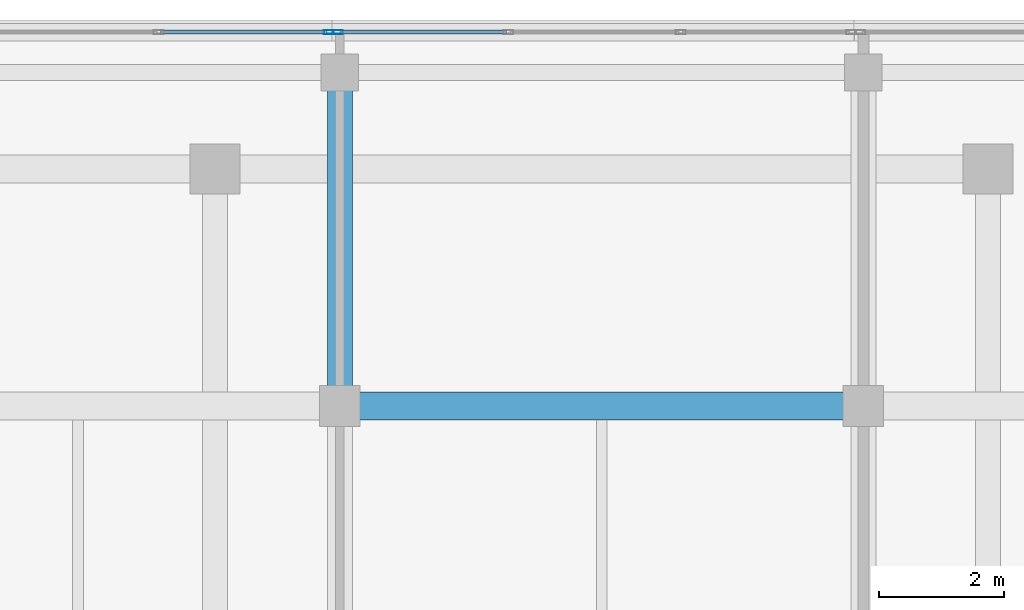
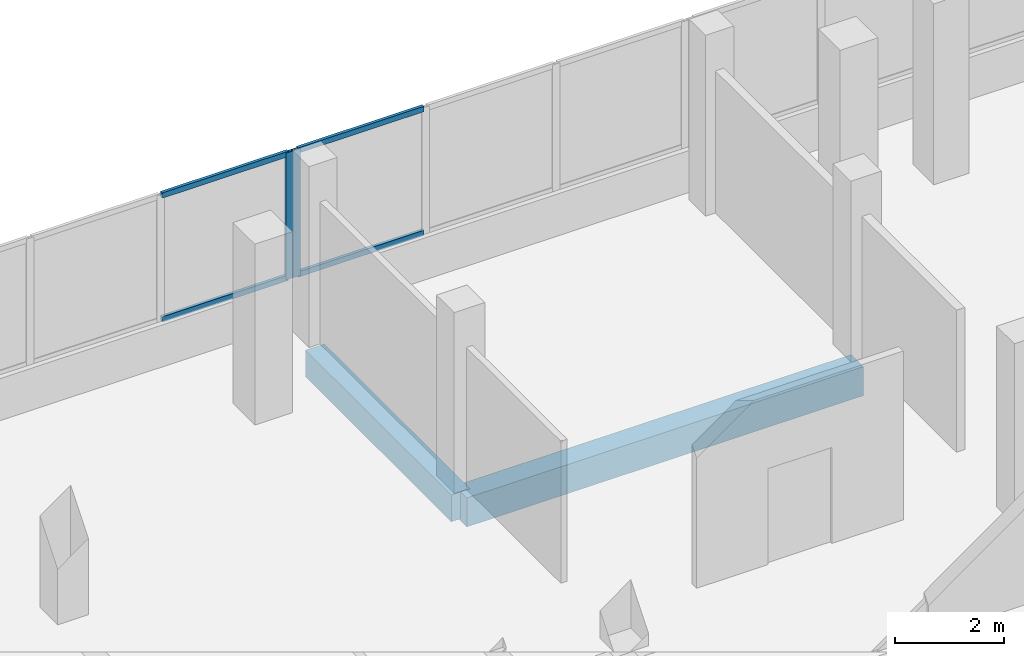
# One storey, part 26 of 76: 6 members, 2 beams, 2 elements without a shape of their own.
"""IFC4 building model written with IfcOpenShell, lengths in metres."""

from ifc_helpers import new_model, si_unit, direction, frame, origin, origin_2d, place, context, subcontext, project, spatial, rectangle, hollow_rectangle, extrude, material, material_profile, profile_set, type_object, element, aggregate, save


model = new_model("IFC4")

# Units and contexts
model_context = context("Model", 3, precision=1e-05, world=origin(), true_north=direction((0.0, 1.0)))
body_context = subcontext(model_context, "Body", "Model", "MODEL_VIEW")
ifc_project = project(units=[si_unit("LENGTHUNIT", "METRE"), si_unit("AREAUNIT", "SQUARE_METRE"), si_unit("VOLUMEUNIT", "CUBIC_METRE"), si_unit("PLANEANGLEUNIT", "RADIAN"), si_unit("MASSUNIT", "GRAM", prefix="KILO")], contexts=[model_context])

# Site, building, storey
site_placement = place(None, origin())
site = spatial("IfcSite", under=ifc_project, at=site_placement, CompositionType="ELEMENT")
building_placement = place(site_placement, origin())
building = spatial("IfcBuilding", under=site, at=building_placement, Name="Selatvlak General Hospital", CompositionType="ELEMENT")
storey_placement = place(building_placement, frame((0.0, 0.0, 27.300048828125)))
storey = spatial("IfcBuildingStorey", under=building, at=storey_placement, Name="L06", CompositionType="ELEMENT", Elevation=27.300048828125)

# Beams
ifc_material_1 = material(Name="Concrete C40/50", Category="concrete")
ifc_material_profile_1 = material_profile(ifc_material_1, rectangle(XDim=0.449951171875, YDim=0.64990234375, at=origin_2d()), Name="RC-BM 450x650")
ifc_profile_set_1 = profile_set([ifc_material_profile_1], Name="Concrete C40/50")
beam_type_1 = type_object("IfcBeamType", Name="BM-G04", PredefinedType="BEAM", material=ifc_profile_set_1)
beam_1_placement = place(storey_placement, frame((73.199951171875, 114.0, -0.60009765625), z_axis=(1.0, 0.0, 0.0), x_axis=(0.0, 1.0, 0.0)))
element("IfcBeam", 1, at=beam_1_placement, inside=storey, type_object=beam_type_1, Name="Beam BMR-L06-2222", PredefinedType="BEAM", context=body_context, shape_type="SweptSolid", body=[
    extrude(rectangle(XDim=0.449951171875, YDim=0.64990234375, at=origin_2d()), origin(), (0.0, 0.0, 1.0), 8.400146484375),
])
ifc_material_profile_2 = material_profile(ifc_material_1, rectangle(XDim=0.39990234375, YDim=0.60009765625, at=origin_2d()), Name="RC-BM 400x600")
ifc_profile_set_2 = profile_set([ifc_material_profile_2], Name="Concrete C40/50")
beam_type_2 = type_object("IfcBeamType", Name="BM-G05", PredefinedType="BEAM", material=ifc_profile_set_2)
beam_2_placement = place(storey_placement, frame((73.199951171875, 114.0, -0.574951171875), z_axis=(0.0, 1.0, 0.0), x_axis=(-1.0, 0.0, 0.0)))
element("IfcBeam", 2, at=beam_2_placement, inside=storey, type_object=beam_type_2, Name="Beam BMR-L06-2276", PredefinedType="BEAM", context=body_context, shape_type="SweptSolid", body=[
    extrude(rectangle(XDim=0.39990234375, YDim=0.60009765625, at=origin_2d()), origin(), (0.0, 0.0, 1.0), 5.35009765625),
])

# Curtain wall, member
ifc_material_2 = material(Name="Solar-control Low-E double glazing", Category="glass")
curtain_wall_type_1 = type_object("IfcCurtainWallType", Name="CW-CW-01", PredefinedType="USERDEFINED", material=ifc_material_2)
curtain_wall_1_placement = place(storey_placement, origin())
curtain_wall_1 = element("IfcCurtainWall", 3, at=curtain_wall_1_placement, inside=storey, type_object=curtain_wall_type_1, Name="Glazed facade curtain wall CW-L06-0603", ObjectType="UNITISED CURTAIN WALL", PredefinedType="USERDEFINED")
ifc_material_3 = material(Name="Dark anodised aluminium mullion", Category="aluminium")
ifc_material_profile_3 = material_profile(ifc_material_3, hollow_rectangle(XDim=0.06494140625, YDim=0.159912109375, WallThickness=0.00390625, at=origin_2d()), Name="AL-MUL 65x160x4")
ifc_profile_set_3 = profile_set([ifc_material_profile_3], Name="Dark anodised aluminium mullion")
member_type_1 = type_object("IfcMemberType", Name="CWM-01", PredefinedType="MULLION", material=ifc_profile_set_3)
member_1_placement = place(storey_placement, frame((73.025390625, 119.9990234375, 0.93994140625), z_axis=(0.0, 0.0, 1.0), x_axis=(0.0, 1.0, 0.0)))
member_1 = element("IfcMember", 4, at=member_1_placement, type_object=member_type_1, Name="CW-01 mullion 4", PredefinedType="MULLION", context=body_context, shape_type="SweptSolid", body=[
    extrude(hollow_rectangle(XDim=0.06494140625, YDim=0.159912109375, WallThickness=0.00390625, at=origin_2d()), origin(), (0.0, 0.0, 1.0), 2.840087890625),
])

curtain_wall_type_2 = type_object("IfcCurtainWallType", Name="CW-CW-02", PredefinedType="USERDEFINED", material=ifc_material_2)
curtain_wall_2_placement = place(storey_placement, origin())
curtain_wall_2 = element("IfcCurtainWall", 5, at=curtain_wall_2_placement, inside=storey, type_object=curtain_wall_type_2, Name="Glazed facade curtain wall CW-L06-0604", ObjectType="UNITISED CURTAIN WALL", PredefinedType="USERDEFINED")
member_2_placement = place(storey_placement, frame((73.17041015625, 119.9990234375, 0.93994140625), z_axis=(0.0, 0.0, 1.0), x_axis=(0.0, 1.0, 0.0)))
member_2 = element("IfcMember", 6, at=member_2_placement, type_object=member_type_1, Name="CW-02 mullion 1", PredefinedType="MULLION", context=body_context, shape_type="SweptSolid", body=[
    extrude(hollow_rectangle(XDim=0.06494140625, YDim=0.159912109375, WallThickness=0.00390625, at=origin_2d()), origin(), (0.0, 0.0, 1.0), 2.840087890625),
])

# Member
ifc_material_profile_4 = material_profile(ifc_material_3, hollow_rectangle(XDim=0.06494140625, YDim=0.1201171875, WallThickness=0.00390625, at=origin_2d()), Name="AL-TRN 65x120x4")
ifc_profile_set_4 = profile_set([ifc_material_profile_4], Name="Dark anodised aluminium mullion")
member_type_2 = type_object("IfcMemberType", Name="CWT-01", PredefinedType="USERDEFINED", material=ifc_profile_set_4)
member_3_placement = place(storey_placement, frame((70.32421875, 119.9990234375, 0.972412109375), z_axis=(1.0, 0.0, 0.0), x_axis=(0.0, 1.0, 0.0)))
member_3 = element("IfcMember", 7, at=member_3_placement, type_object=member_type_2, Name="CW-01 transom 3.1", ObjectType="TRANSOM", PredefinedType="USERDEFINED", context=body_context, shape_type="SweptSolid", body=[
    extrude(hollow_rectangle(XDim=0.06494140625, YDim=0.1201171875, WallThickness=0.00390625, at=origin_2d()), origin(), (0.0, 0.0, 1.0), 2.668701171875),
])

member_4_placement = place(storey_placement, frame((70.32421875, 119.9990234375, 3.74755859375), z_axis=(1.0, 0.0, 0.0), x_axis=(0.0, 1.0, 0.0)))
member_4 = element("IfcMember", 8, at=member_4_placement, type_object=member_type_2, Name="CW-01 transom 3.2", ObjectType="TRANSOM", PredefinedType="USERDEFINED", context=body_context, shape_type="SweptSolid", body=[
    extrude(hollow_rectangle(XDim=0.06494140625, YDim=0.1201171875, WallThickness=0.00390625, at=origin_2d()), origin(), (0.0, 0.0, 1.0), 2.668701171875),
])

aggregate(curtain_wall_1, [member_1, member_3, member_4])

member_5_placement = place(storey_placement, frame((73.202880859375, 119.9990234375, 0.972412109375), z_axis=(1.0, 0.0, 0.0), x_axis=(0.0, 1.0, 0.0)))
member_5 = element("IfcMember", 9, at=member_5_placement, type_object=member_type_2, Name="CW-02 transom 1.1", ObjectType="TRANSOM", PredefinedType="USERDEFINED", context=body_context, shape_type="SweptSolid", body=[
    extrude(hollow_rectangle(XDim=0.06494140625, YDim=0.1201171875, WallThickness=0.00390625, at=origin_2d()), origin(), (0.0, 0.0, 1.0), 2.6689453125),
])

member_6_placement = place(storey_placement, frame((73.202880859375, 119.9990234375, 3.74755859375), z_axis=(1.0, 0.0, 0.0), x_axis=(0.0, 1.0, 0.0)))
member_6 = element("IfcMember", 10, at=member_6_placement, type_object=member_type_2, Name="CW-02 transom 1.2", ObjectType="TRANSOM", PredefinedType="USERDEFINED", context=body_context, shape_type="SweptSolid", body=[
    extrude(hollow_rectangle(XDim=0.06494140625, YDim=0.1201171875, WallThickness=0.00390625, at=origin_2d()), origin(), (0.0, 0.0, 1.0), 2.6689453125),
])

aggregate(curtain_wall_2, [member_2, member_5, member_6])

save(model, "model.ifc")
